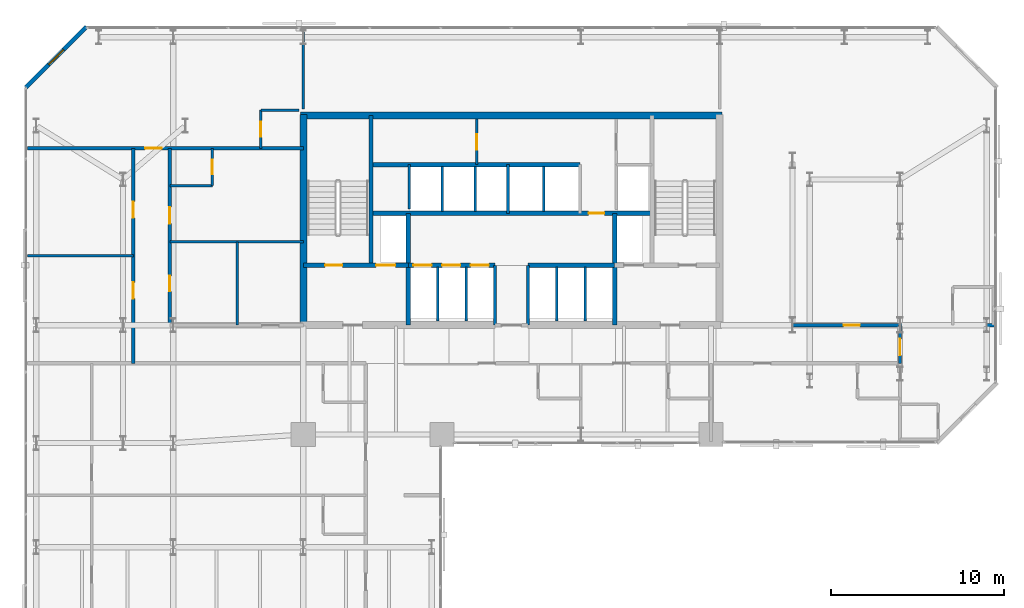
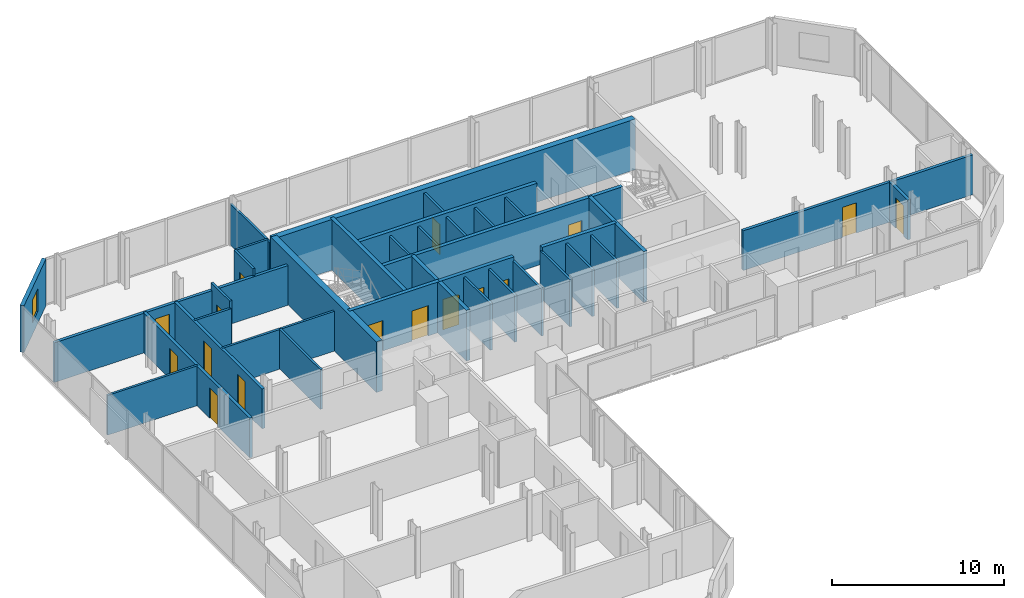
# One storey, part 30 of 33: 36 walls, 16 doors, 1 window, 17 openings.
"""IFC4 building model written with IfcOpenShell, lengths in metres."""

from ifc_helpers import new_model, si_unit, direction, frame, frame_2d, origin, place, context, subcontext, project, spatial, rectangle, extrude, material, layer, layer_set, type_object, element, fill, save


model = new_model("IFC4")

# Units and contexts
model_context = context("Model", 3, precision=1e-05, world=origin(), true_north=direction((0.0, 1.0)))
body_context = subcontext(model_context, "Body", "Model", "MODEL_VIEW")
ifc_project = project(units=[si_unit("LENGTHUNIT", "METRE"), si_unit("AREAUNIT", "SQUARE_METRE"), si_unit("VOLUMEUNIT", "CUBIC_METRE"), si_unit("PLANEANGLEUNIT", "RADIAN"), si_unit("MASSUNIT", "GRAM", prefix="KILO")], contexts=[model_context])

# Site, building, storey
site_placement = place(None, origin())
site = spatial("IfcSite", under=ifc_project, at=site_placement, CompositionType="ELEMENT")
building_placement = place(site_placement, origin())
building = spatial("IfcBuilding", under=site, at=building_placement, Name="Catumbela Crestline Tower", CompositionType="ELEMENT")
storey_placement = place(building_placement, frame((0.0, 0.0, 51.0)))
storey = spatial("IfcBuildingStorey", under=building, at=storey_placement, Name="L12", CompositionType="ELEMENT", Elevation=51.0)

# Walls
ifc_material_1 = material(Name="Concrete C50/60", Category="concrete")
ifc_layer_1 = layer(ifc_material_1, 0.25, Name="Concrete C50/60")
ifc_layer_set_1 = layer_set([ifc_layer_1], Name="Concrete C50/60")
wall_type_1 = type_object("IfcWallType", Name="CW-250D", PredefinedType="SHEAR", material=ifc_layer_set_1)
wall_1_placement = place(storey_placement, frame((19.9, 34.25, 0.0), z_axis=(0.0, 0.0, 1.0), x_axis=(0.0, 1.0, 0.0)))
element("IfcWall", 1, at=wall_1_placement, inside=storey, type_object=wall_type_1, Name="L12 Structural Core Shear Wall WWEB", PredefinedType="SHEAR", context=body_context, shape_type="SweptSolid", body=[
    extrude(rectangle(XDim=8.65, YDim=0.25, at=frame_2d((4.325, 0.0))), origin(), (0.0, 0.0, 1.0), 3.6),
])
for number, where, z_axis, x_axis, name in (
    (2, (22.05, 30.8, 0.0), (0.0, 0.0, 1.0), (0.0, 1.0, 0.0), "L12 Structural Core Shear Wall FFW"),
    (3, (33.95, 30.8, 0.0), (0.0, 0.0, 1.0), (0.0, 1.0, 0.0), "L12 Structural Core Shear Wall FFE"),
):
    element("IfcWall", number, at=place(storey_placement, frame(where, z_axis=z_axis, x_axis=x_axis)), inside=storey, type_object=wall_type_1, Name=name, PredefinedType="SHEAR", context=body_context, shape_type="SweptSolid", body=[
        extrude(rectangle(XDim=6.45, YDim=0.25, at=frame_2d((3.225, 0.0))), origin(), (0.0, 0.0, 1.0), 3.6),
    ])

# Wall, openings, doors
wall_2_placement = place(storey_placement, frame((16.0, 34.25, 0.0), z_axis=(0.0, 0.0, 1.0), x_axis=(1.0, 0.0, 0.0)))
wall_2 = element("IfcWall", 4, at=wall_2_placement, inside=storey, type_object=wall_type_1, Name="L12 Structural Core Shear Wall ST1S", PredefinedType="SHEAR", context=body_context, shape_type="SweptSolid", body=[
    extrude(rectangle(XDim=6.05, YDim=0.25, at=frame_2d((3.025, 0.0))), origin(), (0.0, 0.0, 1.0), 3.6),
])
opening_1_placement = place(wall_2_placement, frame((1.25, 0.0, 0.0)))
opening_1 = element("IfcOpeningElement", 5, at=opening_1_placement, cuts=wall_2, Name="Opening DF9-100", PredefinedType="OPENING", context=body_context, shape_type="SweptSolid", body=[
    extrude(rectangle(XDim=1.0, YDim=2.15, at=frame_2d((0.5, 1.075))), frame((0.0, 0.135, 0.0), z_axis=(0.0, -1.0, 0.0), x_axis=(1.0, 0.0, 0.0)), (0.0, 0.0, 1.0), 0.27),
])
opening_2_placement = place(wall_2_placement, frame((4.2, 0.0, 0.0)))
opening_2 = element("IfcOpeningElement", 6, at=opening_2_placement, cuts=wall_2, Name="Opening LD-110", PredefinedType="OPENING", context=body_context, shape_type="SweptSolid", body=[
    extrude(rectangle(XDim=1.1, YDim=2.15, at=frame_2d((0.55, 1.075))), frame((0.0, 0.135, 0.0), z_axis=(0.0, -1.0, 0.0), x_axis=(1.0, 0.0, 0.0)), (0.0, 0.0, 1.0), 0.27),
])
ifc_material_2 = material(Name="Stainless steel EN 1.4401", Category="steel")
door_type_1 = type_object("IfcDoorType", Name="DF9-100", OperationType="NOTDEFINED", PredefinedType="DOOR", material=ifc_material_2)
door_1_placement = place(opening_1_placement, origin())
door_1 = element("IfcDoor", 7, at=door_1_placement, inside=storey, type_object=door_type_1, Name="L12 Interior Door DR-L12-ST01", OperationType="SINGLE_SWING_LEFT", OverallHeight=2.15, OverallWidth=1.0, PredefinedType="DOOR", context=body_context, shape_type="SweptSolid", body=[
    extrude(rectangle(XDim=1.0, YDim=2.15, at=frame_2d((0.5, 1.075))), frame((0.0, 0.025, 0.0), z_axis=(0.0, -1.0, 0.0), x_axis=(1.0, 0.0, 0.0)), (0.0, 0.0, 1.0), 0.05),
])
fill(opening_1, door_1)
door_type_2 = type_object("IfcDoorType", Name="LD-110", OperationType="NOTDEFINED", PredefinedType="DOOR", material=ifc_material_2)
door_2_placement = place(opening_2_placement, origin())
door_2 = element("IfcDoor", 8, at=door_2_placement, inside=storey, type_object=door_type_2, Name="L12 Lift Landing Sliding Door FL-01", OperationType="DOUBLE_DOOR_SLIDING", OverallHeight=2.15, OverallWidth=1.1, PredefinedType="DOOR", context=body_context, shape_type="SweptSolid", body=[
    extrude(rectangle(XDim=1.1, YDim=2.15, at=frame_2d((0.55, 1.075))), frame((0.0, 0.025, 0.0), z_axis=(0.0, -1.0, 0.0), x_axis=(1.0, 0.0, 0.0)), (0.0, 0.0, 1.0), 0.05),
])
fill(opening_2, door_2)

wall_3_placement = place(storey_placement, frame((22.05, 34.25, 0.0), z_axis=(0.0, 0.0, 1.0), x_axis=(1.0, 0.0, 0.0)))
wall_3 = element("IfcWall", 9, at=wall_3_placement, inside=storey, type_object=wall_type_1, Name="L12 Structural Core Shear Wall LIFTS-W", PredefinedType="SHEAR", context=body_context, shape_type="SweptSolid", body=[
    extrude(rectangle(XDim=5.0, YDim=0.25, at=frame_2d((2.5, 0.0))), origin(), (0.0, 0.0, 1.0), 3.6),
])
opening_3_placement = place(wall_3_placement, frame((0.3, 0.0, 0.0)))
opening_3 = element("IfcOpeningElement", 10, at=opening_3_placement, cuts=wall_3, Name="Opening LD-105", PredefinedType="OPENING", context=body_context, shape_type="SweptSolid", body=[
    extrude(rectangle(XDim=1.05, YDim=2.15, at=frame_2d((0.525, 1.075))), frame((0.0, 0.135, 0.0), z_axis=(0.0, -1.0, 0.0), x_axis=(1.0, 0.0, 0.0)), (0.0, 0.0, 1.0), 0.27),
])
opening_4_placement = place(wall_3_placement, frame((1.95, 0.0, 0.0)))
opening_4 = element("IfcOpeningElement", 11, at=opening_4_placement, cuts=wall_3, Name="Opening LD-105", PredefinedType="OPENING", context=body_context, shape_type="SweptSolid", body=[
    extrude(rectangle(XDim=1.05, YDim=2.15, at=frame_2d((0.525, 1.075))), frame((0.0, 0.135, 0.0), z_axis=(0.0, -1.0, 0.0), x_axis=(1.0, 0.0, 0.0)), (0.0, 0.0, 1.0), 0.27),
])
opening_5_placement = place(wall_3_placement, frame((3.6, 0.0, 0.0)))
opening_5 = element("IfcOpeningElement", 12, at=opening_5_placement, cuts=wall_3, Name="Opening LD-105", PredefinedType="OPENING", context=body_context, shape_type="SweptSolid", body=[
    extrude(rectangle(XDim=1.05, YDim=2.15, at=frame_2d((0.525, 1.075))), frame((0.0, 0.135, 0.0), z_axis=(0.0, -1.0, 0.0), x_axis=(1.0, 0.0, 0.0)), (0.0, 0.0, 1.0), 0.27),
])
door_type_3 = type_object("IfcDoorType", Name="LD-105", OperationType="NOTDEFINED", PredefinedType="DOOR", material=ifc_material_2)
door_3_placement = place(opening_3_placement, origin())
door_3 = element("IfcDoor", 13, at=door_3_placement, inside=storey, type_object=door_type_3, Name="L12 Lift Landing Sliding Door PL-L1", OperationType="DOUBLE_DOOR_SLIDING", OverallHeight=2.15, OverallWidth=1.05, PredefinedType="DOOR", context=body_context, shape_type="SweptSolid", body=[
    extrude(rectangle(XDim=1.05, YDim=2.15, at=frame_2d((0.525, 1.075))), frame((0.0, 0.025, 0.0), z_axis=(0.0, -1.0, 0.0), x_axis=(1.0, 0.0, 0.0)), (0.0, 0.0, 1.0), 0.05),
])
fill(opening_3, door_3)
door_4_placement = place(opening_4_placement, origin())
door_4 = element("IfcDoor", 14, at=door_4_placement, inside=storey, type_object=door_type_3, Name="L12 Lift Landing Sliding Door PL-L2", OperationType="DOUBLE_DOOR_SLIDING", OverallHeight=2.15, OverallWidth=1.05, PredefinedType="DOOR", context=body_context, shape_type="SweptSolid", body=[
    extrude(rectangle(XDim=1.05, YDim=2.15, at=frame_2d((0.525, 1.075))), frame((0.0, 0.025, 0.0), z_axis=(0.0, -1.0, 0.0), x_axis=(1.0, 0.0, 0.0)), (0.0, 0.0, 1.0), 0.05),
])
fill(opening_4, door_4)
door_5_placement = place(opening_5_placement, origin())
door_5 = element("IfcDoor", 15, at=door_5_placement, inside=storey, type_object=door_type_3, Name="L12 Lift Landing Sliding Door PL-L3", OperationType="DOUBLE_DOOR_SLIDING", OverallHeight=2.15, OverallWidth=1.05, PredefinedType="DOOR", context=body_context, shape_type="SweptSolid", body=[
    extrude(rectangle(XDim=1.05, YDim=2.15, at=frame_2d((0.525, 1.075))), frame((0.0, 0.025, 0.0), z_axis=(0.0, -1.0, 0.0), x_axis=(1.0, 0.0, 0.0)), (0.0, 0.0, 1.0), 0.05),
])
fill(opening_5, door_5)

# Wall
wall_4_placement = place(storey_placement, frame((28.95, 34.25, 0.0), z_axis=(0.0, 0.0, 1.0), x_axis=(1.0, 0.0, 0.0)))
element("IfcWall", 16, at=wall_4_placement, inside=storey, type_object=wall_type_1, Name="L12 Structural Core Shear Wall LIFTS-E", PredefinedType="SHEAR", context=body_context, shape_type="SweptSolid", body=[
    extrude(rectangle(XDim=5.0, YDim=0.25, at=frame_2d((2.5, 0.0))), origin(), (0.0, 0.0, 1.0), 3.6),
])

# Wall, opening, door
wall_5_placement = place(storey_placement, frame((19.9, 37.25, 0.0), z_axis=(0.0, 0.0, 1.0), x_axis=(1.0, 0.0, 0.0)))
wall_5 = element("IfcWall", 17, at=wall_5_placement, inside=storey, type_object=wall_type_1, Name="L12 Structural Core Shear Wall LIFTN", PredefinedType="SHEAR", context=body_context, shape_type="SweptSolid", body=[
    extrude(rectangle(XDim=16.2, YDim=0.25, at=frame_2d((8.1, 0.0))), origin(), (0.0, 0.0, 1.0), 3.6),
])
opening_6_placement = place(wall_5_placement, frame((12.55, 0.0, 0.0)))
opening_6 = element("IfcOpeningElement", 18, at=opening_6_placement, cuts=wall_5, Name="Opening DF9-090", PredefinedType="OPENING", context=body_context, shape_type="SweptSolid", body=[
    extrude(rectangle(XDim=0.9, YDim=2.15, at=frame_2d((0.45, 1.075))), frame((0.0, 0.135, 0.0), z_axis=(0.0, -1.0, 0.0), x_axis=(1.0, 0.0, 0.0)), (0.0, 0.0, 1.0), 0.27),
])
door_type_4 = type_object("IfcDoorType", Name="DF9-090", OperationType="NOTDEFINED", PredefinedType="DOOR", material=ifc_material_2)
door_6_placement = place(opening_6_placement, origin())
door_6 = element("IfcDoor", 19, at=door_6_placement, inside=storey, type_object=door_type_4, Name="L12 Interior Door DR-L12-CPAS1", OperationType="SINGLE_SWING_LEFT", OverallHeight=2.15, OverallWidth=0.9, PredefinedType="DOOR", context=body_context, shape_type="SweptSolid", body=[
    extrude(rectangle(XDim=0.9, YDim=2.15, at=frame_2d((0.45, 1.075))), frame((0.0, 0.025, 0.0), z_axis=(0.0, -1.0, 0.0), x_axis=(1.0, 0.0, 0.0)), (0.0, 0.0, 1.0), 0.05),
])
fill(opening_6, door_6)

# Walls
wall_6_placement = place(storey_placement, frame((19.9, 40.05, 0.0), z_axis=(0.0, 0.0, 1.0), x_axis=(1.0, 0.0, 0.0)))
element("IfcWall", 20, at=wall_6_placement, inside=storey, type_object=wall_type_1, Name="L12 Structural Core Shear Wall COREN", PredefinedType="SHEAR", context=body_context, shape_type="SweptSolid", body=[
    extrude(rectangle(XDim=12.05, YDim=0.25, at=frame_2d((6.025, 0.0))), origin(), (0.0, 0.0, 1.0), 3.6),
])
ifc_material_3 = material(Name="Concrete C60/75", Category="concrete")
ifc_layer_2 = layer(ifc_material_3, 0.4, Name="Concrete C60/75")
ifc_layer_set_2 = layer_set([ifc_layer_2], Name="Concrete C60/75")
wall_type_2 = type_object("IfcWallType", Name="CW-400A", PredefinedType="SHEAR", material=ifc_layer_set_2)
wall_7_placement = place(storey_placement, frame((16.0, 30.65, 0.0), z_axis=(0.0, 0.0, 1.0), x_axis=(0.0, 1.0, 0.0)))
element("IfcWall", 21, at=wall_7_placement, inside=storey, type_object=wall_type_2, Name="L12 Structural Core Shear Wall W", PredefinedType="SHEAR", context=body_context, shape_type="SweptSolid", body=[
    extrude(rectangle(XDim=12.3, YDim=0.4, at=frame_2d((6.15, 0.0))), origin(), (0.0, 0.0, 1.0), 3.6),
])
wall_8_placement = place(storey_placement, frame((15.85, 42.9, 0.0), z_axis=(0.0, 0.0, 1.0), x_axis=(1.0, 0.0, 0.0)))
element("IfcWall", 22, at=wall_8_placement, inside=storey, type_object=wall_type_2, Name="L12 Structural Core Shear Wall N", PredefinedType="SHEAR", context=body_context, shape_type="SweptSolid", body=[
    extrude(rectangle(XDim=24.3, YDim=0.4, at=frame_2d((12.15, 0.0))), origin(), (0.0, 0.0, 1.0), 3.6),
])

# Wall, openings, doors
ifc_material_4 = material(Name="Acoustic gypsum and mineral-wool partition")
ifc_layer_3 = layer(ifc_material_4, 0.2, Name="Acoustic gypsum and mineral-wool partition")
ifc_layer_set_3 = layer_set([ifc_layer_3], Name="Acoustic gypsum and mineral-wool partition")
wall_type_3 = type_object("IfcWallType", Name="WC-200", PredefinedType="PARTITIONING", material=ifc_layer_set_3)
wall_9_placement = place(storey_placement, frame((8.3, 30.8, 0.0), z_axis=(0.0, 0.0, 1.0), x_axis=(0.0, 1.0, 0.0)))
wall_9 = element("IfcWall", 23, at=wall_9_placement, inside=storey, type_object=wall_type_3, Name="L12 Interior Partition PW-L12-AWC-W", PredefinedType="PARTITIONING", context=body_context, shape_type="SweptSolid", body=[
    extrude(rectangle(XDim=10.2, YDim=0.2, at=frame_2d((5.1, 0.0))), origin(), (0.0, 0.0, 1.0), 2.82),
])
opening_7_placement = place(wall_9_placement, frame((1.95, 0.0, 0.0)))
opening_7 = element("IfcOpeningElement", 24, at=opening_7_placement, cuts=wall_9, Name="Opening DI-090", PredefinedType="OPENING", context=body_context, shape_type="SweptSolid", body=[
    extrude(rectangle(XDim=0.9, YDim=2.15, at=frame_2d((0.45, 1.075))), frame((0.0, 0.11, 0.0), z_axis=(0.0, -1.0, 0.0), x_axis=(1.0, 0.0, 0.0)), (0.0, 0.0, 1.0), 0.22),
])
opening_8_placement = place(wall_9_placement, frame((5.8605, 0.0, 0.0)))
opening_8 = element("IfcOpeningElement", 25, at=opening_8_placement, cuts=wall_9, Name="Opening DF6-095", PredefinedType="OPENING", context=body_context, shape_type="SweptSolid", body=[
    extrude(rectangle(XDim=0.95, YDim=2.15, at=frame_2d((0.475, 1.075))), frame((0.0, 0.11, 0.0), z_axis=(0.0, -1.0, 0.0), x_axis=(1.0, 0.0, 0.0)), (0.0, 0.0, 1.0), 0.22),
])
ifc_material_5 = material(Name="Aluminium alloy AW-6060-T66", Category="aluminium")
door_type_5 = type_object("IfcDoorType", Name="DF6-095", OperationType="NOTDEFINED", PredefinedType="DOOR", material=ifc_material_5)
door_7_placement = place(opening_8_placement, origin())
door_7 = element("IfcDoor", 26, at=door_7_placement, inside=storey, type_object=door_type_5, Name="L12 Interior Door DR-L12-FSN-ENT", OperationType="SINGLE_SWING_RIGHT", OverallHeight=2.15, OverallWidth=0.95, PredefinedType="DOOR", context=body_context, shape_type="SweptSolid", body=[
    extrude(rectangle(XDim=0.95, YDim=2.15, at=frame_2d((0.475, 1.075))), frame((0.0, 0.025, 0.0), z_axis=(0.0, -1.0, 0.0), x_axis=(1.0, 0.0, 0.0)), (0.0, 0.0, 1.0), 0.05),
])
fill(opening_8, door_7)
door_type_6 = type_object("IfcDoorType", Name="DI-090", OperationType="NOTDEFINED", PredefinedType="DOOR", material=ifc_material_5)
door_8_placement = place(opening_7_placement, origin())
door_8 = element("IfcDoor", 27, at=door_8_placement, inside=storey, type_object=door_type_6, Name="L12 Interior Door DR-L12-STWC", OperationType="SINGLE_SWING_RIGHT", OverallHeight=2.15, OverallWidth=0.9, PredefinedType="DOOR", context=body_context, shape_type="SweptSolid", body=[
    extrude(rectangle(XDim=0.9, YDim=2.15, at=frame_2d((0.45, 1.075))), frame((0.0, 0.025, 0.0), z_axis=(0.0, -1.0, 0.0), x_axis=(1.0, 0.0, 0.0)), (0.0, 0.0, 1.0), 0.05),
])
fill(opening_7, door_8)

# Wall, opening, door
wall_10_placement = place(storey_placement, frame((0.1, 41.0, 0.0), z_axis=(0.0, 0.0, 1.0), x_axis=(1.0, 0.0, 0.0)))
wall_10 = element("IfcWall", 28, at=wall_10_placement, inside=storey, type_object=wall_type_3, Name="L12 Interior Partition PW-L12-NWTOP-ENT", PredefinedType="PARTITIONING", context=body_context, shape_type="SweptSolid", body=[
    extrude(rectangle(XDim=15.9, YDim=0.2, at=frame_2d((7.95, 0.0))), origin(), (0.0, 0.0, 1.0), 2.82),
])
opening_9_placement = place(wall_10_placement, frame((6.7788, 0.0, 0.0)))
opening_9 = element("IfcOpeningElement", 29, at=opening_9_placement, cuts=wall_10, Name="Opening DF6-095", PredefinedType="OPENING", context=body_context, shape_type="SweptSolid", body=[
    extrude(rectangle(XDim=0.95, YDim=2.15, at=frame_2d((0.475, 1.075))), frame((0.0, 0.11, 0.0), z_axis=(0.0, -1.0, 0.0), x_axis=(1.0, 0.0, 0.0)), (0.0, 0.0, 1.0), 0.22),
])
door_9_placement = place(opening_9_placement, origin())
door_9 = element("IfcDoor", 30, at=door_9_placement, inside=storey, type_object=door_type_5, Name="L12 Interior Door DR-L12-NWTOP-ENT", OperationType="SINGLE_SWING_LEFT", OverallHeight=2.15, OverallWidth=0.95, PredefinedType="DOOR", context=body_context, shape_type="SweptSolid", body=[
    extrude(rectangle(XDim=0.95, YDim=2.15, at=frame_2d((0.475, 1.075))), frame((0.0, 0.025, 0.0), z_axis=(0.0, -1.0, 0.0), x_axis=(1.0, 0.0, 0.0)), (0.0, 0.0, 1.0), 0.05),
])
fill(opening_9, door_9)

# Wall, openings, doors
wall_11_placement = place(storey_placement, frame((6.2, 28.6, 0.0), z_axis=(0.0, 0.0, 1.0), x_axis=(0.0, 1.0, 0.0)))
wall_11 = element("IfcWall", 31, at=wall_11_placement, inside=storey, type_object=wall_type_3, Name="L12 Interior Partition PW-L12-KCLB-ENT", PredefinedType="PARTITIONING", context=body_context, shape_type="SweptSolid", body=[
    extrude(rectangle(XDim=12.4, YDim=0.2, at=frame_2d((6.2, 0.0))), origin(), (0.0, 0.0, 1.0), 2.82),
])
opening_10_placement = place(wall_11_placement, frame((3.725, 0.0, 0.0)))
opening_10 = element("IfcOpeningElement", 32, at=opening_10_placement, cuts=wall_11, Name="Opening DF6-095", PredefinedType="OPENING", context=body_context, shape_type="SweptSolid", body=[
    extrude(rectangle(XDim=0.95, YDim=2.15, at=frame_2d((0.475, 1.075))), frame((0.0, 0.11, 0.0), z_axis=(0.0, -1.0, 0.0), x_axis=(1.0, 0.0, 0.0)), (0.0, 0.0, 1.0), 0.22),
])
opening_11_placement = place(wall_11_placement, frame((8.3808, 0.0, 0.0)))
opening_11 = element("IfcOpeningElement", 33, at=opening_11_placement, cuts=wall_11, Name="Opening DF6-095", PredefinedType="OPENING", context=body_context, shape_type="SweptSolid", body=[
    extrude(rectangle(XDim=0.95, YDim=2.15, at=frame_2d((0.475, 1.075))), frame((0.0, 0.11, 0.0), z_axis=(0.0, -1.0, 0.0), x_axis=(1.0, 0.0, 0.0)), (0.0, 0.0, 1.0), 0.22),
])
door_10_placement = place(opening_10_placement, origin())
door_10 = element("IfcDoor", 34, at=door_10_placement, inside=storey, type_object=door_type_5, Name="L12 Interior Door DR-L12-KCLB-ENT", OperationType="SINGLE_SWING_LEFT", OverallHeight=2.15, OverallWidth=0.95, PredefinedType="DOOR", context=body_context, shape_type="SweptSolid", body=[
    extrude(rectangle(XDim=0.95, YDim=2.15, at=frame_2d((0.475, 1.075))), frame((0.0, 0.025, 0.0), z_axis=(0.0, -1.0, 0.0), x_axis=(1.0, 0.0, 0.0)), (0.0, 0.0, 1.0), 0.05),
])
fill(opening_10, door_10)
door_11_placement = place(opening_11_placement, origin())
door_11 = element("IfcDoor", 35, at=door_11_placement, inside=storey, type_object=door_type_5, Name="L12 Interior Door DR-L12-FKIT-ENT", OperationType="SINGLE_SWING_LEFT", OverallHeight=2.15, OverallWidth=0.95, PredefinedType="DOOR", context=body_context, shape_type="SweptSolid", body=[
    extrude(rectangle(XDim=0.95, YDim=2.15, at=frame_2d((0.475, 1.075))), frame((0.0, 0.025, 0.0), z_axis=(0.0, -1.0, 0.0), x_axis=(1.0, 0.0, 0.0)), (0.0, 0.0, 1.0), 0.05),
])
fill(opening_11, door_11)

# Wall, opening, door
wall_12_placement = place(storey_placement, frame((40.47, 30.8, 0.0), z_axis=(0.0, 0.0, 1.0), x_axis=(1.0, 0.0, 0.0)))
wall_12 = element("IfcWall", 36, at=wall_12_placement, inside=storey, type_object=wall_type_3, Name="L12 Interior Partition PW-L12-NES-ENT", PredefinedType="PARTITIONING", context=body_context, shape_type="SweptSolid", body=[
    extrude(rectangle(XDim=15.43, YDim=0.2, at=frame_2d((7.715, 0.0))), origin(), (0.0, 0.0, 1.0), 2.82),
])
opening_12_placement = place(wall_12_placement, frame((6.6725, 0.0, 0.0)))
opening_12 = element("IfcOpeningElement", 37, at=opening_12_placement, cuts=wall_12, Name="Opening DF6-095", PredefinedType="OPENING", context=body_context, shape_type="SweptSolid", body=[
    extrude(rectangle(XDim=0.95, YDim=2.15, at=frame_2d((0.475, 1.075))), frame((0.0, 0.11, 0.0), z_axis=(0.0, -1.0, 0.0), x_axis=(1.0, 0.0, 0.0)), (0.0, 0.0, 1.0), 0.22),
])
door_12_placement = place(opening_12_placement, origin())
door_12 = element("IfcDoor", 38, at=door_12_placement, inside=storey, type_object=door_type_5, Name="L12 Interior Door DR-L12-NES-ENT", OperationType="SINGLE_SWING_LEFT", OverallHeight=2.15, OverallWidth=0.95, PredefinedType="DOOR", context=body_context, shape_type="SweptSolid", body=[
    extrude(rectangle(XDim=0.95, YDim=2.15, at=frame_2d((0.475, 1.075))), frame((0.0, 0.025, 0.0), z_axis=(0.0, -1.0, 0.0), x_axis=(1.0, 0.0, 0.0)), (0.0, 0.0, 1.0), 0.05),
])
fill(opening_12, door_12)

wall_13_placement = place(storey_placement, frame((50.4, 28.6, 0.0), z_axis=(0.0, 0.0, 1.0), x_axis=(0.0, 1.0, 0.0)))
wall_13 = element("IfcWall", 39, at=wall_13_placement, inside=storey, type_object=wall_type_3, Name="L12 Interior Partition PW-L12-NESE-ENT", PredefinedType="PARTITIONING", context=body_context, shape_type="SweptSolid", body=[
    extrude(rectangle(XDim=2.2, YDim=0.2, at=frame_2d((1.1, 0.0))), origin(), (0.0, 0.0, 1.0), 2.82),
])
opening_13_placement = place(wall_13_placement, frame((0.46, 0.0, 0.0)))
opening_13 = element("IfcOpeningElement", 40, at=opening_13_placement, cuts=wall_13, Name="Opening DF6-095", PredefinedType="OPENING", context=body_context, shape_type="SweptSolid", body=[
    extrude(rectangle(XDim=0.95, YDim=2.15, at=frame_2d((0.475, 1.075))), frame((0.0, 0.11, 0.0), z_axis=(0.0, -1.0, 0.0), x_axis=(1.0, 0.0, 0.0)), (0.0, 0.0, 1.0), 0.22),
])
door_13_placement = place(opening_13_placement, origin())
door_13 = element("IfcDoor", 41, at=door_13_placement, inside=storey, type_object=door_type_5, Name="L12 Interior Door DR-L12-NESE-ENT", OperationType="SINGLE_SWING_RIGHT", OverallHeight=2.15, OverallWidth=0.95, PredefinedType="DOOR", context=body_context, shape_type="SweptSolid", body=[
    extrude(rectangle(XDim=0.95, YDim=2.15, at=frame_2d((0.475, 1.075))), frame((0.0, 0.025, 0.0), z_axis=(0.0, -1.0, 0.0), x_axis=(1.0, 0.0, 0.0)), (0.0, 0.0, 1.0), 0.05),
])
fill(opening_13, door_13)

# Wall, opening, window
ifc_material_6 = material(Name="Angolan grey-ochre granite", Category="masonry")
ifc_layer_4 = layer(ifc_material_6, 0.25, Name="Angolan grey-ochre granite")
ifc_layer_set_4 = layer_set([ifc_layer_4], Name="Angolan grey-ochre granite")
wall_type_4 = type_object("IfcWallType", Name="WE-250", PredefinedType="STANDARD", material=ifc_layer_set_4)
wall_14_placement = place(storey_placement, frame((3.5, 48.0, 0.0), z_axis=(0.0, 0.0, 1.0), x_axis=(-0.707106781187, -0.707106781187, 0.0)))
wall_14 = element("IfcWall", 42, at=wall_14_placement, inside=storey, type_object=wall_type_4, Name="L12 Granite Punched Window Wall 8-1", PredefinedType="STANDARD", context=body_context, shape_type="SweptSolid", body=[
    extrude(rectangle(XDim=4.9497, YDim=0.25, at=frame_2d((2.4748, 0.0))), origin(), (0.0, 0.0, 1.0), 3.33),
])
opening_14_placement = place(wall_14_placement, frame((1.8748, 0.0, 0.85)))
opening_14 = element("IfcOpeningElement", 43, at=opening_14_placement, cuts=wall_14, Name="Opening WN-02", PredefinedType="OPENING", context=body_context, shape_type="SweptSolid", body=[
    extrude(rectangle(XDim=1.2, YDim=1.6, at=frame_2d((0.6, 0.8))), frame((0.0, 0.135, 0.0), z_axis=(0.0, -1.0, 0.0), x_axis=(1.0, 0.0, 0.0)), (0.0, 0.0, 1.0), 0.27),
])
ifc_material_7 = material(Name="Low-E laminated solar-control double glazing", Category="glass")
window_type = type_object("IfcWindowType", Name="WO-1200", PartitioningType="SINGLE_PANEL", PredefinedType="WINDOW", material=ifc_material_7)
window_placement = place(opening_14_placement, origin())
window = element("IfcWindow", 44, at=window_placement, inside=storey, type_object=window_type, Name="L12 Facade Vision Window 86", OverallHeight=1.6, OverallWidth=1.2, PartitioningType="SINGLE_PANEL", PredefinedType="WINDOW", context=body_context, shape_type="SweptSolid", body=[
    extrude(rectangle(XDim=1.2, YDim=1.6, at=frame_2d((0.6, 0.8))), frame((0.0, 0.03, 0.0), z_axis=(0.0, -1.0, 0.0), x_axis=(1.0, 0.0, 0.0)), (0.0, 0.0, 1.0), 0.06),
])
fill(opening_14, window)

# Wall, opening, door
ifc_layer_5 = layer(ifc_material_4, 0.15, Name="Acoustic gypsum and mineral-wool partition")
ifc_layer_set_5 = layer_set([ifc_layer_5], Name="Acoustic gypsum and mineral-wool partition")
wall_type_5 = type_object("IfcWallType", Name="WP-150", PredefinedType="PARTITIONING", material=ifc_layer_set_5)
wall_15_placement = place(storey_placement, frame((26.0, 40.05, 0.0), z_axis=(0.0, 0.0, 1.0), x_axis=(0.0, 1.0, 0.0)))
wall_15 = element("IfcWall", 45, at=wall_15_placement, inside=storey, type_object=wall_type_5, Name="L12 Interior Partition PW-L12-CR-WW", PredefinedType="PARTITIONING", context=body_context, shape_type="SweptSolid", body=[
    extrude(rectangle(XDim=2.63, YDim=0.15, at=frame_2d((1.315, 0.0))), origin(), (0.0, 0.0, 1.0), 3.33),
])
opening_15_placement = place(wall_15_placement, frame((0.865, 0.0, 0.0)))
opening_15 = element("IfcOpeningElement", 46, at=opening_15_placement, cuts=wall_15, Name="Opening DF9-090", PredefinedType="OPENING", context=body_context, shape_type="SweptSolid", body=[
    extrude(rectangle(XDim=0.9, YDim=2.15, at=frame_2d((0.45, 1.075))), frame((0.0, 0.085, 0.0), z_axis=(0.0, -1.0, 0.0), x_axis=(1.0, 0.0, 0.0)), (0.0, 0.0, 1.0), 0.17),
])
door_14_placement = place(opening_15_placement, origin())
door_14 = element("IfcDoor", 47, at=door_14_placement, inside=storey, type_object=door_type_4, Name="L12 Interior Door DR-L12-CRWEST", OperationType="SINGLE_SWING_LEFT", OverallHeight=2.15, OverallWidth=0.9, PredefinedType="DOOR", context=body_context, shape_type="SweptSolid", body=[
    extrude(rectangle(XDim=0.9, YDim=2.15, at=frame_2d((0.45, 1.075))), frame((0.0, 0.025, 0.0), z_axis=(0.0, -1.0, 0.0), x_axis=(1.0, 0.0, 0.0)), (0.0, 0.0, 1.0), 0.05),
])
fill(opening_15, door_14)

# Walls
wall_16_placement = place(storey_placement, frame((8.3, 35.6, 0.0), z_axis=(0.0, 0.0, 1.0), x_axis=(1.0, 0.0, 0.0)))
element("IfcWall", 48, at=wall_16_placement, inside=storey, type_object=wall_type_5, Name="L12 Interior Partition PW-L12-HK-N", PredefinedType="PARTITIONING", context=body_context, shape_type="SweptSolid", body=[
    extrude(rectangle(XDim=7.7, YDim=0.15, at=frame_2d((3.85, 0.0))), origin(), (0.0, 0.0, 1.0), 2.82),
])
wall_17_placement = place(storey_placement, frame((12.2, 30.8, 0.0), z_axis=(0.0, 0.0, 1.0), x_axis=(0.0, 1.0, 0.0)))
element("IfcWall", 49, at=wall_17_placement, inside=storey, type_object=wall_type_5, Name="L12 Interior Partition PW-L12-HK-M", PredefinedType="PARTITIONING", context=body_context, shape_type="SweptSolid", body=[
    extrude(rectangle(XDim=4.8, YDim=0.15, at=frame_2d((2.4, 0.0))), origin(), (0.0, 0.0, 1.0), 2.82),
])
wall_18_placement = place(storey_placement, frame((13.55, 43.2, 0.0), z_axis=(0.0, 0.0, 1.0), x_axis=(1.0, 0.0, 0.0)))
element("IfcWall", 50, at=wall_18_placement, inside=storey, type_object=wall_type_5, Name="L12 Interior Partition PW-L12-NWTOP-BHW", PredefinedType="PARTITIONING", context=body_context, shape_type="SweptSolid", body=[
    extrude(rectangle(XDim=2.1897, YDim=0.15, at=frame_2d((1.0949, 0.0))), origin(), (0.0, 0.0, 1.0), 3.33),
])

# Wall, opening, door
wall_19_placement = place(storey_placement, frame((13.55, 41.0, 0.0), z_axis=(0.0, 0.0, 1.0), x_axis=(0.0, 1.0, 0.0)))
wall_19 = element("IfcWall", 51, at=wall_19_placement, inside=storey, type_object=wall_type_5, Name="L12 Interior Partition PW-L12-NWTOP-BWW", PredefinedType="PARTITIONING", context=body_context, shape_type="SweptSolid", body=[
    extrude(rectangle(XDim=2.2, YDim=0.15, at=frame_2d((1.1, 0.0))), origin(), (0.0, 0.0, 1.0), 3.33),
])
opening_16_placement = place(wall_19_placement, frame((0.675, 0.0, 0.0)))
opening_16 = element("IfcOpeningElement", 52, at=opening_16_placement, cuts=wall_19, Name="Opening DI-085", PredefinedType="OPENING", context=body_context, shape_type="SweptSolid", body=[
    extrude(rectangle(XDim=0.85, YDim=2.15, at=frame_2d((0.425, 1.075))), frame((0.0, 0.085, 0.0), z_axis=(0.0, -1.0, 0.0), x_axis=(1.0, 0.0, 0.0)), (0.0, 0.0, 1.0), 0.17),
])
door_type_7 = type_object("IfcDoorType", Name="DI-085", OperationType="NOTDEFINED", PredefinedType="DOOR", material=ifc_material_5)
door_15_placement = place(opening_16_placement, origin())
door_15 = element("IfcDoor", 53, at=door_15_placement, inside=storey, type_object=door_type_7, Name="L12 Interior Door DR-L12-NWTOP-BTH", OperationType="SINGLE_SWING_RIGHT", OverallHeight=2.15, OverallWidth=0.85, PredefinedType="DOOR", context=body_context, shape_type="SweptSolid", body=[
    extrude(rectangle(XDim=0.85, YDim=2.15, at=frame_2d((0.425, 1.075))), frame((0.0, 0.025, 0.0), z_axis=(0.0, -1.0, 0.0), x_axis=(1.0, 0.0, 0.0)), (0.0, 0.0, 1.0), 0.05),
])
fill(opening_16, door_15)

# Walls
wall_20_placement = place(storey_placement, frame((0.1, 34.8, 0.0), z_axis=(0.0, 0.0, 1.0), x_axis=(1.0, 0.0, 0.0)))
element("IfcWall", 54, at=wall_20_placement, inside=storey, type_object=wall_type_5, Name="L12 Interior Partition PW-L12-G2-1", PredefinedType="PARTITIONING", context=body_context, shape_type="SweptSolid", body=[
    extrude(rectangle(XDim=6.1, YDim=0.15, at=frame_2d((3.05, 0.0))), origin(), (0.0, 0.0, 1.0), 2.82),
])
wall_21_placement = place(storey_placement, frame((8.3, 38.84, 0.0), z_axis=(0.0, 0.0, 1.0), x_axis=(1.0, 0.0, 0.0)))
element("IfcWall", 55, at=wall_21_placement, inside=storey, type_object=wall_type_5, Name="L12 Interior Partition PW-L12-FSN-BSW", PredefinedType="PARTITIONING", context=body_context, shape_type="SweptSolid", body=[
    extrude(rectangle(XDim=2.45, YDim=0.15, at=frame_2d((1.225, 0.0))), origin(), (0.0, 0.0, 1.0), 2.82),
])

# Wall, opening, door
wall_22_placement = place(storey_placement, frame((10.75, 38.84, 0.0), z_axis=(0.0, 0.0, 1.0), x_axis=(0.0, 1.0, 0.0)))
wall_22 = element("IfcWall", 56, at=wall_22_placement, inside=storey, type_object=wall_type_5, Name="L12 Interior Partition PW-L12-FSN-BEW", PredefinedType="PARTITIONING", context=body_context, shape_type="SweptSolid", body=[
    extrude(rectangle(XDim=2.16, YDim=0.15, at=frame_2d((1.08, 0.0))), origin(), (0.0, 0.0, 1.0), 3.33),
])
opening_17_placement = place(wall_22_placement, frame((0.655, 0.0, 0.0)))
opening_17 = element("IfcOpeningElement", 57, at=opening_17_placement, cuts=wall_22, Name="Opening DI-085", PredefinedType="OPENING", context=body_context, shape_type="SweptSolid", body=[
    extrude(rectangle(XDim=0.85, YDim=2.15, at=frame_2d((0.425, 1.075))), frame((0.0, 0.085, 0.0), z_axis=(0.0, -1.0, 0.0), x_axis=(1.0, 0.0, 0.0)), (0.0, 0.0, 1.0), 0.17),
])
door_16_placement = place(opening_17_placement, origin())
door_16 = element("IfcDoor", 58, at=door_16_placement, inside=storey, type_object=door_type_7, Name="L12 Interior Door DR-L12-FSN-BTH", OperationType="SINGLE_SWING_LEFT", OverallHeight=2.15, OverallWidth=0.85, PredefinedType="DOOR", context=body_context, shape_type="SweptSolid", body=[
    extrude(rectangle(XDim=0.85, YDim=2.15, at=frame_2d((0.425, 1.075))), frame((0.0, 0.025, 0.0), z_axis=(0.0, -1.0, 0.0), x_axis=(1.0, 0.0, 0.0)), (0.0, 0.0, 1.0), 0.05),
])
fill(opening_17, door_16)

# Walls
wall_23_placement = place(storey_placement, frame((16.0, 43.27, 0.0), z_axis=(0.0, 0.0, 1.0), x_axis=(0.0, 1.0, 0.0)))
element("IfcWall", 59, at=wall_23_placement, inside=storey, type_object=wall_type_5, Name="L12 Interior Partition PW-L12-NCF-W", PredefinedType="PARTITIONING", context=body_context, shape_type="SweptSolid", body=[
    extrude(rectangle(XDim=4.63, YDim=0.15, at=frame_2d((2.315, 0.0))), origin(), (0.0, 0.0, 1.0), 2.93),
])
ifc_layer_6 = layer(ifc_material_4, 0.15, Name="Acoustic gypsum and mineral-wool partition")
ifc_layer_set_6 = layer_set([ifc_layer_6], Name="Acoustic gypsum and mineral-wool partition")
wall_type_6 = type_object("IfcWallType", Name="WS-150", PredefinedType="PLUMBINGWALL", material=ifc_layer_set_6)
for number, where, z_axis, x_axis, name in (
    (60, (27.05, 30.8, 0.0), (0.0, 0.0, 1.0), (0.0, 1.0, 0.0), "L12 Interior Partition PW-L12-THRW"),
    (61, (28.95, 30.8, 0.0), (0.0, 0.0, 1.0), (0.0, 1.0, 0.0), "L12 Interior Partition PW-L12-THRE"),
):
    element("IfcWall", number, at=place(storey_placement, frame(where, z_axis=z_axis, x_axis=x_axis)), inside=storey, type_object=wall_type_6, Name=name, PredefinedType="PLUMBINGWALL", context=body_context, shape_type="SweptSolid", body=[
        extrude(rectangle(XDim=3.45, YDim=0.15, at=frame_2d((1.725, 0.0))), origin(), (0.0, 0.0, 1.0), 3.33),
    ])
for number, where, z_axis, x_axis, name in (
    (62, (23.75, 31.05, 0.0), (0.0, 0.0, 1.0), (0.0, 1.0, 0.0), "L12 Interior Partition PW-L12-SHL1"),
    (63, (25.4, 31.05, 0.0), (0.0, 0.0, 1.0), (0.0, 1.0, 0.0), "L12 Interior Partition PW-L12-SHL2"),
    (64, (30.6, 31.05, 0.0), (0.0, 0.0, 1.0), (0.0, 1.0, 0.0), "L12 Interior Partition PW-L12-SHM1"),
    (65, (32.25, 31.05, 0.0), (0.0, 0.0, 1.0), (0.0, 1.0, 0.0), "L12 Interior Partition PW-L12-SHM2"),
):
    element("IfcWall", number, at=place(storey_placement, frame(where, z_axis=z_axis, x_axis=x_axis)), inside=storey, type_object=wall_type_6, Name=name, PredefinedType="PLUMBINGWALL", context=body_context, shape_type="SweptSolid", body=[
        extrude(rectangle(XDim=3.1, YDim=0.15, at=frame_2d((1.55, 0.0))), origin(), (0.0, 0.0, 1.0), 3.33),
    ])
wall_24_placement = place(storey_placement, frame((22.1, 37.4897, 0.0), z_axis=(0.0, 0.0, 1.0), x_axis=(0.0, 1.0, 0.0)))
element("IfcWall", 66, at=wall_24_placement, inside=storey, type_object=wall_type_6, Name="L12 Interior Partition PW-L12-SHH0", PredefinedType="PLUMBINGWALL", context=body_context, shape_type="SweptSolid", body=[
    extrude(rectangle(XDim=2.5603, YDim=0.15, at=frame_2d((1.2801, 0.0))), origin(), (0.0, 0.0, 1.0), 3.33),
])
wall_25_placement = place(storey_placement, frame((27.8, 37.25, 0.0), z_axis=(0.0, 0.0, 1.0), x_axis=(0.0, 1.0, 0.0)))
element("IfcWall", 67, at=wall_25_placement, inside=storey, type_object=wall_type_6, Name="L12 Interior Partition PW-L12-SHH3", PredefinedType="PLUMBINGWALL", context=body_context, shape_type="SweptSolid", body=[
    extrude(rectangle(XDim=2.8, YDim=0.15, at=frame_2d((1.4, 0.0))), origin(), (0.0, 0.0, 1.0), 3.33),
])
for number, where, z_axis, x_axis, name in (
    (68, (24.0, 37.35, 0.0), (0.0, 0.0, 1.0), (0.0, 1.0, 0.0), "L12 Interior Partition PW-L12-SHH1"),
    (69, (25.9, 37.35, 0.0), (0.0, 0.0, 1.0), (0.0, 1.0, 0.0), "L12 Interior Partition PW-L12-SHH2"),
    (70, (29.85, 37.35, 0.0), (0.0, 0.0, 1.0), (0.0, 1.0, 0.0), "L12 Interior Partition PW-L12-SHEX1"),
):
    element("IfcWall", number, at=place(storey_placement, frame(where, z_axis=z_axis, x_axis=x_axis)), inside=storey, type_object=wall_type_6, Name=name, PredefinedType="PLUMBINGWALL", context=body_context, shape_type="SweptSolid", body=[
        extrude(rectangle(XDim=2.6, YDim=0.15, at=frame_2d((1.3, 0.0))), origin(), (0.0, 0.0, 1.0), 3.33),
    ])

save(model, "model.ifc")
